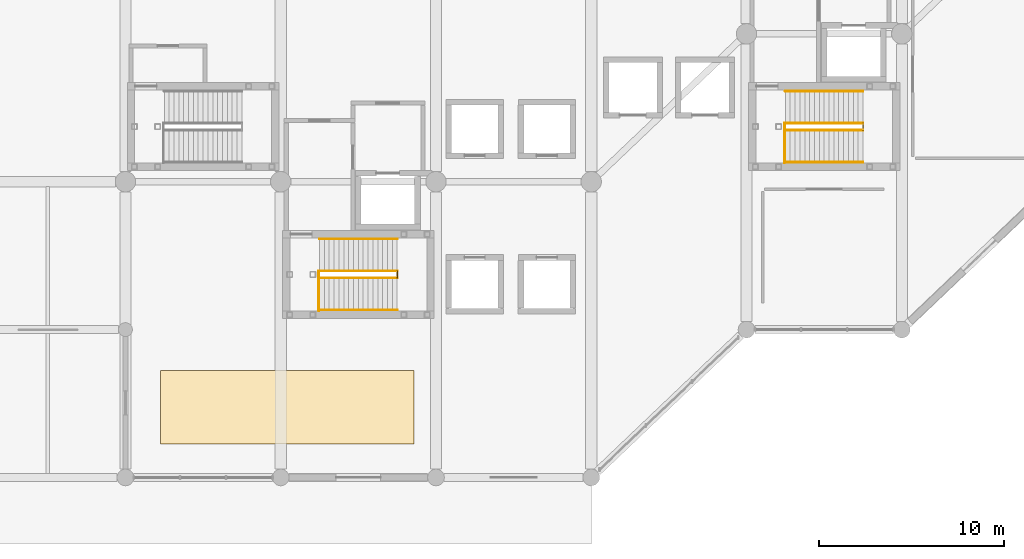
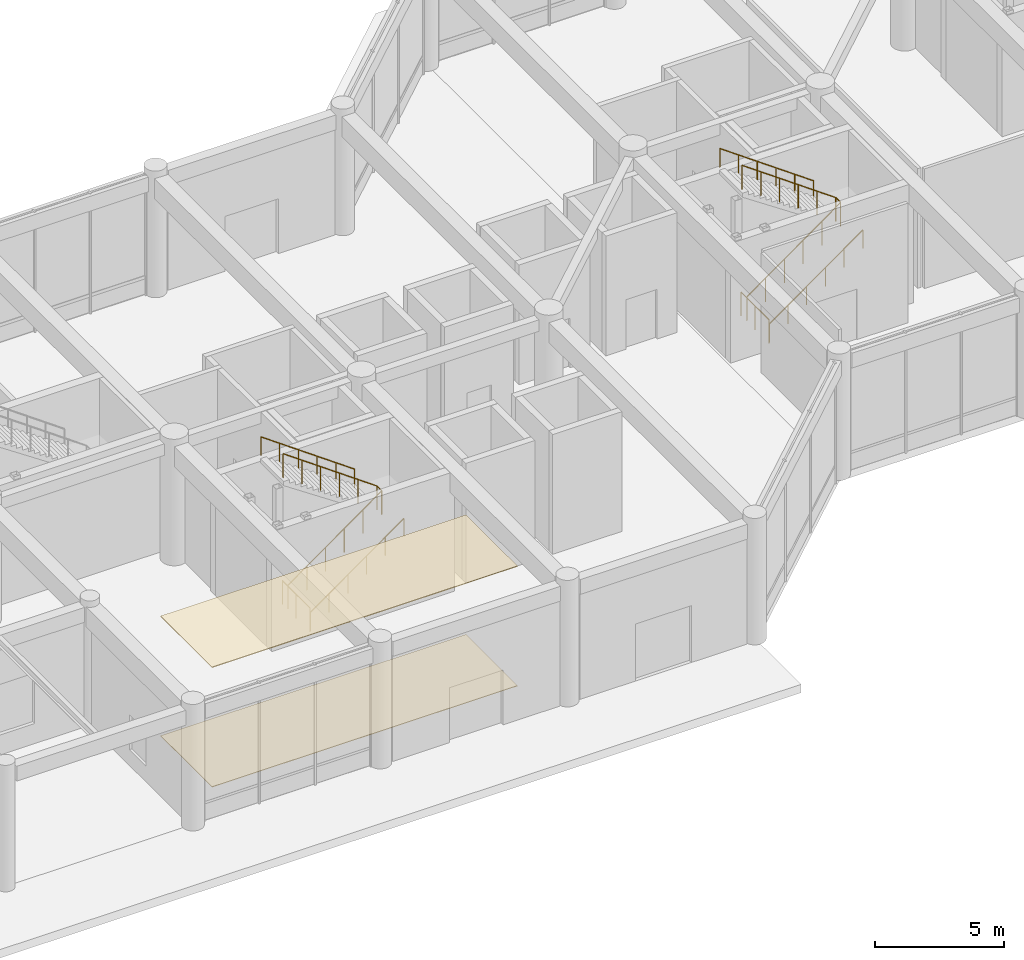
# One storey, part 75 of 76: 12 railings, 2 coverings.
"""IFC4 building model written with IfcOpenShell, lengths in metres."""

from ifc_helpers import new_model, si_unit, direction, frame, origin, origin_2d, place, context, subcontext, project, spatial, polyline, circle, outline, extrude, material, layer, layer_set, type_object, element, save


model = new_model("IFC4")

# Units and contexts
model_context = context("Model", 3, precision=1e-05, world=origin(), true_north=direction((0.0, 1.0)))
body_context = subcontext(model_context, "Body", "Model", "MODEL_VIEW")
ifc_project = project(units=[si_unit("LENGTHUNIT", "METRE"), si_unit("AREAUNIT", "SQUARE_METRE"), si_unit("VOLUMEUNIT", "CUBIC_METRE"), si_unit("PLANEANGLEUNIT", "RADIAN"), si_unit("MASSUNIT", "GRAM", prefix="KILO")], contexts=[model_context])

# Site, building, storey
site_placement = place(None, origin())
site = spatial("IfcSite", under=ifc_project, at=site_placement, CompositionType="ELEMENT")
building_placement = place(site_placement, origin())
building = spatial("IfcBuilding", under=site, at=building_placement, Name="Naruveol Harbour Congress Hotel", CompositionType="ELEMENT")
storey_placement = place(building_placement, origin())
storey = spatial("IfcBuildingStorey", under=building, at=storey_placement, Name="L00", CompositionType="ELEMENT", Elevation=0.0)

# Covering
ifc_material_1 = material(Name="Polished Terrazzo & Engineered Oak", Category="stone")
ifc_layer_1 = layer(ifc_material_1, 0.02490234375)
ifc_layer_set_1 = layer_set([ifc_layer_1], Name="Polished Terrazzo & Engineered Oak")
covering_type_1 = type_object("IfcCoveringType", Name="POLISHED TERRAZZO AND OAK FLOORING 25", PredefinedType="FLOORING", material=ifc_layer_set_1)
covering_1_placement = place(storey_placement, origin())
element("IfcCovering", 1, at=covering_1_placement, inside=storey, type_object=covering_type_1, Name="Hotel Reception Acoustic Flooring", PredefinedType="FLOORING", context=body_context, shape_type="SweptSolid", body=[
    extrude(outline(polyline([(119.5, 1.800048828125), (133.199951171875, 1.800048828125), (133.199951171875, 5.800048828125), (119.5, 5.800048828125), (119.5, 1.800048828125)])), origin(), (0.0, 0.0, 1.0), 0.02490234375),
])

# Railings
ifc_material_2 = material(Name="Stainless Steel 304", Category="steel")
ifc_layer_2 = layer(ifc_material_2, 0.0419921875)
ifc_layer_set_2 = layer_set([ifc_layer_2], Name="Stainless Steel 304")
railing_type_1 = type_object("IfcRailingType", Name="STAIR WALL MOUNTED HANDRAIL 900", PredefinedType="HANDRAIL", material=ifc_layer_set_2)
railing_1_placement = place(storey_placement, frame((128.10009765625, 9.06005859375, 0.0)))
element("IfcRailing", 2, at=railing_1_placement, inside=storey, type_object=railing_type_1, Name="Stair ST1 L00 lower wall handrail", PredefinedType="HANDRAIL", context=body_context, shape_type="SweptSolid", body=[
    extrude(circle(Radius=0.02392578125, at=origin_2d()), frame((0.0, 0.0, 0.8759765625), z_axis=(0.813730275137, 0.0, 0.581242668191), x_axis=(0.0, 1.0, 0.0)), (0.0, 0.0, 1.0), 5.161376953125),
    extrude(circle(Radius=0.02099609375, at=origin_2d()), origin(), (0.0, 0.0, 1.0), 0.851806640625),
    extrude(circle(Radius=0.02099609375, at=origin_2d()), frame((0.840087890625, 0.0, 0.60009765625)), (0.0, 0.0, 1.0), 0.851806640625),
    extrude(circle(Radius=0.02099609375, at=origin_2d()), frame((1.679931640625, 0.0, 1.199951171875)), (0.0, 0.0, 1.0), 0.851806640625),
    extrude(circle(Radius=0.02099609375, at=origin_2d()), frame((2.52001953125, 0.0, 1.800048828125)), (0.0, 0.0, 1.0), 0.851806640625),
    extrude(circle(Radius=0.02099609375, at=origin_2d()), frame((3.35986328125, 0.0, 2.39990234375)), (0.0, 0.0, 1.0), 0.851806640625),
    extrude(circle(Radius=0.02099609375, at=origin_2d()), frame((4.199951171875, 0.0, 3.0)), (0.0, 0.0, 1.0), 0.851806640625),
])
railing_2_placement = place(storey_placement, frame((132.300048828125, 12.89990234375, 3.0)))
element("IfcRailing", 3, at=railing_2_placement, inside=storey, type_object=railing_type_1, Name="Stair ST1 L00 upper wall handrail", PredefinedType="HANDRAIL", context=body_context, shape_type="SweptSolid", body=[
    extrude(circle(Radius=0.02392578125, at=origin_2d()), frame((0.0, 0.0, 0.8759765625), z_axis=(-0.813730275137, 0.0, 0.581242668191), x_axis=(0.0, -1.0, 0.0)), (0.0, 0.0, 1.0), 5.161376953125),
    extrude(circle(Radius=0.02099609375, at=origin_2d()), origin(), (0.0, 0.0, 1.0), 0.851806640625),
    extrude(circle(Radius=0.02099609375, at=origin_2d()), frame((-0.840087890625, 0.0, 0.60009765625)), (0.0, 0.0, 1.0), 0.851806640625),
    extrude(circle(Radius=0.02099609375, at=origin_2d()), frame((-1.679931640625, 0.0, 1.199951171875)), (0.0, 0.0, 1.0), 0.851806640625),
    extrude(circle(Radius=0.02099609375, at=origin_2d()), frame((-2.52001953125, 0.0, 1.800048828125)), (0.0, 0.0, 1.0), 0.851806640625),
    extrude(circle(Radius=0.02099609375, at=origin_2d()), frame((-3.35986328125, 0.0, 2.39990234375)), (0.0, 0.0, 1.0), 0.851806640625),
    extrude(circle(Radius=0.02099609375, at=origin_2d()), frame((-4.199951171875, 0.0, 3.0)), (0.0, 0.0, 1.0), 0.851806640625),
])
railing_3_placement = place(storey_placement, frame((153.300048828125, 17.06005859375, 0.0)))
element("IfcRailing", 4, at=railing_3_placement, inside=storey, type_object=railing_type_1, Name="Stair ST2 L00 lower wall handrail", PredefinedType="HANDRAIL", context=body_context, shape_type="SweptSolid", body=[
    extrude(circle(Radius=0.02392578125, at=origin_2d()), frame((0.0, 0.0, 0.8759765625), z_axis=(0.813730275137, 0.0, 0.581242668191), x_axis=(0.0, 1.0, 0.0)), (0.0, 0.0, 1.0), 5.161376953125),
    extrude(circle(Radius=0.02099609375, at=origin_2d()), origin(), (0.0, 0.0, 1.0), 0.851806640625),
    extrude(circle(Radius=0.02099609375, at=origin_2d()), frame((0.840087890625, 0.0, 0.60009765625)), (0.0, 0.0, 1.0), 0.851806640625),
    extrude(circle(Radius=0.02099609375, at=origin_2d()), frame((1.679931640625, 0.0, 1.199951171875)), (0.0, 0.0, 1.0), 0.851806640625),
    extrude(circle(Radius=0.02099609375, at=origin_2d()), frame((2.52001953125, 0.0, 1.800048828125)), (0.0, 0.0, 1.0), 0.851806640625),
    extrude(circle(Radius=0.02099609375, at=origin_2d()), frame((3.35986328125, 0.0, 2.39990234375)), (0.0, 0.0, 1.0), 0.851806640625),
    extrude(circle(Radius=0.02099609375, at=origin_2d()), frame((4.199951171875, 0.0, 3.0)), (0.0, 0.0, 1.0), 0.851806640625),
])
railing_4_placement = place(storey_placement, frame((157.5, 20.89990234375, 3.0)))
element("IfcRailing", 5, at=railing_4_placement, inside=storey, type_object=railing_type_1, Name="Stair ST2 L00 upper wall handrail", PredefinedType="HANDRAIL", context=body_context, shape_type="SweptSolid", body=[
    extrude(circle(Radius=0.02392578125, at=origin_2d()), frame((0.0, 0.0, 0.8759765625), z_axis=(-0.813730275137, 0.0, 0.581242668191), x_axis=(0.0, -1.0, 0.0)), (0.0, 0.0, 1.0), 5.161376953125),
    extrude(circle(Radius=0.02099609375, at=origin_2d()), origin(), (0.0, 0.0, 1.0), 0.851806640625),
    extrude(circle(Radius=0.02099609375, at=origin_2d()), frame((-0.840087890625, 0.0, 0.60009765625)), (0.0, 0.0, 1.0), 0.851806640625),
    extrude(circle(Radius=0.02099609375, at=origin_2d()), frame((-1.679931640625, 0.0, 1.199951171875)), (0.0, 0.0, 1.0), 0.851806640625),
    extrude(circle(Radius=0.02099609375, at=origin_2d()), frame((-2.52001953125, 0.0, 1.800048828125)), (0.0, 0.0, 1.0), 0.851806640625),
    extrude(circle(Radius=0.02099609375, at=origin_2d()), frame((-3.35986328125, 0.0, 2.39990234375)), (0.0, 0.0, 1.0), 0.851806640625),
    extrude(circle(Radius=0.02099609375, at=origin_2d()), frame((-4.199951171875, 0.0, 3.0)), (0.0, 0.0, 1.0), 0.851806640625),
])
ifc_material_3 = material(Name="Steel SN490", Category="steel")
ifc_layer_3 = layer(ifc_material_3, 0.044921875)
ifc_layer_set_3 = layer_set([ifc_layer_3], Name="Steel SN490")
railing_type_2 = type_object("IfcRailingType", Name="STAIRWELL STEEL GUARDRAIL 1150", PredefinedType="GUARDRAIL", material=ifc_layer_set_3)
railing_5_placement = place(storey_placement, frame((128.10009765625, 10.7900390625, 0.0)))
element("IfcRailing", 6, at=railing_5_placement, inside=storey, type_object=railing_type_2, Name="Stair ST1 L00 lower well guard", PredefinedType="GUARDRAIL", context=body_context, shape_type="SweptSolid", body=[
    extrude(circle(Radius=0.02392578125, at=origin_2d()), frame((0.0, 0.0, 1.1259765625), z_axis=(0.813730275137, 0.0, 0.581242668191), x_axis=(0.0, 1.0, 0.0)), (0.0, 0.0, 1.0), 5.161376953125),
    extrude(circle(Radius=0.02099609375, at=origin_2d()), origin(), (0.0, 0.0, 1.0), 1.101806640625),
    extrude(circle(Radius=0.02099609375, at=origin_2d()), frame((0.840087890625, 0.0, 0.60009765625)), (0.0, 0.0, 1.0), 1.101806640625),
    extrude(circle(Radius=0.02099609375, at=origin_2d()), frame((1.679931640625, 0.0, 1.199951171875)), (0.0, 0.0, 1.0), 1.101806640625),
    extrude(circle(Radius=0.02099609375, at=origin_2d()), frame((2.52001953125, 0.0, 1.800048828125)), (0.0, 0.0, 1.0), 1.101806640625),
    extrude(circle(Radius=0.02099609375, at=origin_2d()), frame((3.35986328125, 0.0, 2.39990234375)), (0.0, 0.0, 1.0), 1.101806640625),
    extrude(circle(Radius=0.02099609375, at=origin_2d()), frame((4.199951171875, 0.0, 3.0)), (0.0, 0.0, 1.0), 1.101806640625),
])
railing_6_placement = place(storey_placement, frame((132.300048828125, 10.7900390625, 3.0)))
element("IfcRailing", 7, at=railing_6_placement, inside=storey, type_object=railing_type_2, Name="Stair ST1 L00 half-landing slot guard", PredefinedType="GUARDRAIL", context=body_context, shape_type="SweptSolid", body=[
    extrude(circle(Radius=0.02392578125, at=origin_2d()), frame((0.0, 0.0, 1.1259765625), z_axis=(0.0, 1.0, 0.0), x_axis=(-1.0, 0.0, 0.0)), (0.0, 0.0, 1.0), 0.3798828125),
    extrude(circle(Radius=0.02099609375, at=origin_2d()), origin(), (0.0, 0.0, 1.0), 1.101806640625),
    extrude(circle(Radius=0.02099609375, at=origin_2d()), frame((0.0, 0.3798828125, 0.0)), (0.0, 0.0, 1.0), 1.101806640625),
])
railing_7_placement = place(storey_placement, frame((132.300048828125, 11.169921875, 3.0)))
element("IfcRailing", 8, at=railing_7_placement, inside=storey, type_object=railing_type_2, Name="Stair ST1 L00 upper well guard", PredefinedType="GUARDRAIL", context=body_context, shape_type="SweptSolid", body=[
    extrude(circle(Radius=0.02392578125, at=origin_2d()), frame((0.0, 0.0, 1.1259765625), z_axis=(-0.813730275137, 0.0, 0.581242668191), x_axis=(0.0, -1.0, 0.0)), (0.0, 0.0, 1.0), 5.161376953125),
    extrude(circle(Radius=0.02099609375, at=origin_2d()), origin(), (0.0, 0.0, 1.0), 1.101806640625),
    extrude(circle(Radius=0.02099609375, at=origin_2d()), frame((-0.840087890625, 0.0, 0.60009765625)), (0.0, 0.0, 1.0), 1.101806640625),
    extrude(circle(Radius=0.02099609375, at=origin_2d()), frame((-1.679931640625, 0.0, 1.199951171875)), (0.0, 0.0, 1.0), 1.101806640625),
    extrude(circle(Radius=0.02099609375, at=origin_2d()), frame((-2.52001953125, 0.0, 1.800048828125)), (0.0, 0.0, 1.0), 1.101806640625),
    extrude(circle(Radius=0.02099609375, at=origin_2d()), frame((-3.35986328125, 0.0, 2.39990234375)), (0.0, 0.0, 1.0), 1.101806640625),
    extrude(circle(Radius=0.02099609375, at=origin_2d()), frame((-4.199951171875, 0.0, 3.0)), (0.0, 0.0, 1.0), 1.101806640625),
])
railing_8_placement = place(storey_placement, frame((128.06005859375, 9.02001953125, 0.0)))
element("IfcRailing", 9, at=railing_8_placement, inside=storey, type_object=railing_type_2, Name="Stair ST1 L00 landing well guard", PredefinedType="GUARDRAIL", context=body_context, shape_type="SweptSolid", body=[
    extrude(circle(Radius=0.02392578125, at=origin_2d()), frame((0.0, 0.0, 1.1259765625), z_axis=(0.0, 1.0, 0.0), x_axis=(-1.0, 0.0, 0.0)), (0.0, 0.0, 1.0), 2.14990234375),
    extrude(circle(Radius=0.02099609375, at=origin_2d()), origin(), (0.0, 0.0, 1.0), 1.101806640625),
    extrude(circle(Radius=0.02099609375, at=origin_2d()), frame((0.0, 1.074951171875, 0.0)), (0.0, 0.0, 1.0), 1.101806640625),
    extrude(circle(Radius=0.02099609375, at=origin_2d()), frame((0.0, 2.14990234375, 0.0)), (0.0, 0.0, 1.0), 1.101806640625),
])
railing_9_placement = place(storey_placement, frame((153.300048828125, 18.7900390625, 0.0)))
element("IfcRailing", 10, at=railing_9_placement, inside=storey, type_object=railing_type_2, Name="Stair ST2 L00 lower well guard", PredefinedType="GUARDRAIL", context=body_context, shape_type="SweptSolid", body=[
    extrude(circle(Radius=0.02392578125, at=origin_2d()), frame((0.0, 0.0, 1.1259765625), z_axis=(0.813730275137, 0.0, 0.581242668191), x_axis=(0.0, 1.0, 0.0)), (0.0, 0.0, 1.0), 5.161376953125),
    extrude(circle(Radius=0.02099609375, at=origin_2d()), origin(), (0.0, 0.0, 1.0), 1.101806640625),
    extrude(circle(Radius=0.02099609375, at=origin_2d()), frame((0.840087890625, 0.0, 0.60009765625)), (0.0, 0.0, 1.0), 1.101806640625),
    extrude(circle(Radius=0.02099609375, at=origin_2d()), frame((1.679931640625, 0.0, 1.199951171875)), (0.0, 0.0, 1.0), 1.101806640625),
    extrude(circle(Radius=0.02099609375, at=origin_2d()), frame((2.52001953125, 0.0, 1.800048828125)), (0.0, 0.0, 1.0), 1.101806640625),
    extrude(circle(Radius=0.02099609375, at=origin_2d()), frame((3.35986328125, 0.0, 2.39990234375)), (0.0, 0.0, 1.0), 1.101806640625),
    extrude(circle(Radius=0.02099609375, at=origin_2d()), frame((4.199951171875, 0.0, 3.0)), (0.0, 0.0, 1.0), 1.101806640625),
])
railing_10_placement = place(storey_placement, frame((157.5, 18.7900390625, 3.0)))
element("IfcRailing", 11, at=railing_10_placement, inside=storey, type_object=railing_type_2, Name="Stair ST2 L00 half-landing slot guard", PredefinedType="GUARDRAIL", context=body_context, shape_type="SweptSolid", body=[
    extrude(circle(Radius=0.02392578125, at=origin_2d()), frame((0.0, 0.0, 1.1259765625), z_axis=(0.0, 1.0, 0.0), x_axis=(-1.0, 0.0, 0.0)), (0.0, 0.0, 1.0), 0.3798828125),
    extrude(circle(Radius=0.02099609375, at=origin_2d()), origin(), (0.0, 0.0, 1.0), 1.101806640625),
    extrude(circle(Radius=0.02099609375, at=origin_2d()), frame((0.0, 0.3798828125, 0.0)), (0.0, 0.0, 1.0), 1.101806640625),
])
railing_11_placement = place(storey_placement, frame((157.5, 19.169921875, 3.0)))
element("IfcRailing", 12, at=railing_11_placement, inside=storey, type_object=railing_type_2, Name="Stair ST2 L00 upper well guard", PredefinedType="GUARDRAIL", context=body_context, shape_type="SweptSolid", body=[
    extrude(circle(Radius=0.02392578125, at=origin_2d()), frame((0.0, 0.0, 1.1259765625), z_axis=(-0.813730275137, 0.0, 0.581242668191), x_axis=(0.0, -1.0, 0.0)), (0.0, 0.0, 1.0), 5.161376953125),
    extrude(circle(Radius=0.02099609375, at=origin_2d()), origin(), (0.0, 0.0, 1.0), 1.101806640625),
    extrude(circle(Radius=0.02099609375, at=origin_2d()), frame((-0.840087890625, 0.0, 0.60009765625)), (0.0, 0.0, 1.0), 1.101806640625),
    extrude(circle(Radius=0.02099609375, at=origin_2d()), frame((-1.679931640625, 0.0, 1.199951171875)), (0.0, 0.0, 1.0), 1.101806640625),
    extrude(circle(Radius=0.02099609375, at=origin_2d()), frame((-2.52001953125, 0.0, 1.800048828125)), (0.0, 0.0, 1.0), 1.101806640625),
    extrude(circle(Radius=0.02099609375, at=origin_2d()), frame((-3.35986328125, 0.0, 2.39990234375)), (0.0, 0.0, 1.0), 1.101806640625),
    extrude(circle(Radius=0.02099609375, at=origin_2d()), frame((-4.199951171875, 0.0, 3.0)), (0.0, 0.0, 1.0), 1.101806640625),
])
railing_12_placement = place(storey_placement, frame((153.260009765625, 17.02001953125, 0.0)))
element("IfcRailing", 13, at=railing_12_placement, inside=storey, type_object=railing_type_2, Name="Stair ST2 L00 landing well guard", PredefinedType="GUARDRAIL", context=body_context, shape_type="SweptSolid", body=[
    extrude(circle(Radius=0.02392578125, at=origin_2d()), frame((0.0, 0.0, 1.1259765625), z_axis=(0.0, 1.0, 0.0), x_axis=(-1.0, 0.0, 0.0)), (0.0, 0.0, 1.0), 2.14990234375),
    extrude(circle(Radius=0.02099609375, at=origin_2d()), origin(), (0.0, 0.0, 1.0), 1.101806640625),
    extrude(circle(Radius=0.02099609375, at=origin_2d()), frame((0.0, 1.074951171875, 0.0)), (0.0, 0.0, 1.0), 1.101806640625),
    extrude(circle(Radius=0.02099609375, at=origin_2d()), frame((0.0, 2.14990234375, 0.0)), (0.0, 0.0, 1.0), 1.101806640625),
])

# Covering
ifc_material_4 = material(Name="Acoustic Engineered Timber Slats", Category="wood")
ifc_layer_4 = layer(ifc_material_4, 0.034912109375)
ifc_layer_set_4 = layer_set([ifc_layer_4], Name="Acoustic Engineered Timber Slats")
covering_type_2 = type_object("IfcCoveringType", Name="SUSPENDED PERFORATED TIMBER ACOUSTIC CEILING 35", PredefinedType="CEILING", material=ifc_layer_set_4)
covering_2_placement = place(storey_placement, frame((0.0, 0.0, 5.6650390625)))
element("IfcCovering", 14, at=covering_2_placement, inside=storey, type_object=covering_type_2, Name="Hotel Reception Acoustic Ceiling", PredefinedType="CEILING", context=body_context, shape_type="SweptSolid", body=[
    extrude(outline(polyline([(119.5, 1.800048828125), (133.199951171875, 1.800048828125), (133.199951171875, 5.800048828125), (119.5, 5.800048828125), (119.5, 1.800048828125)])), origin(), (0.0, 0.0, 1.0), 0.034912109375),
])

save(model, "model.ifc")
